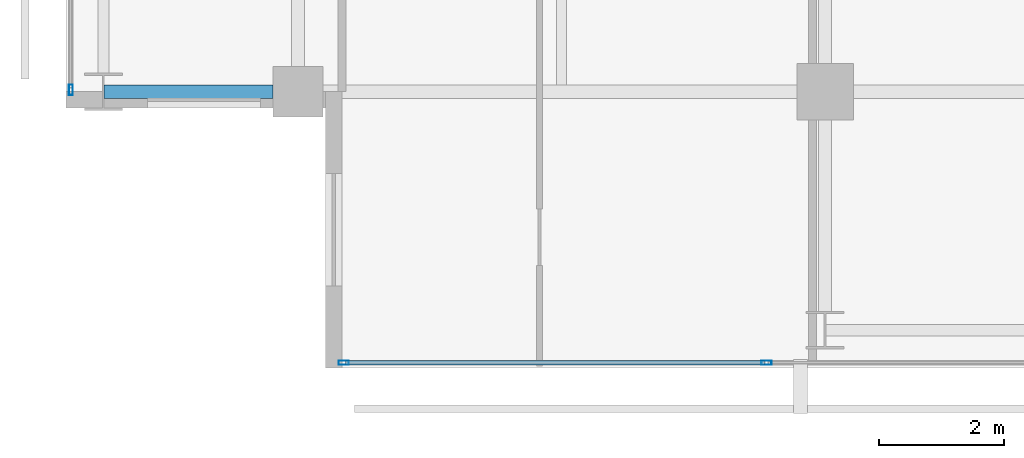
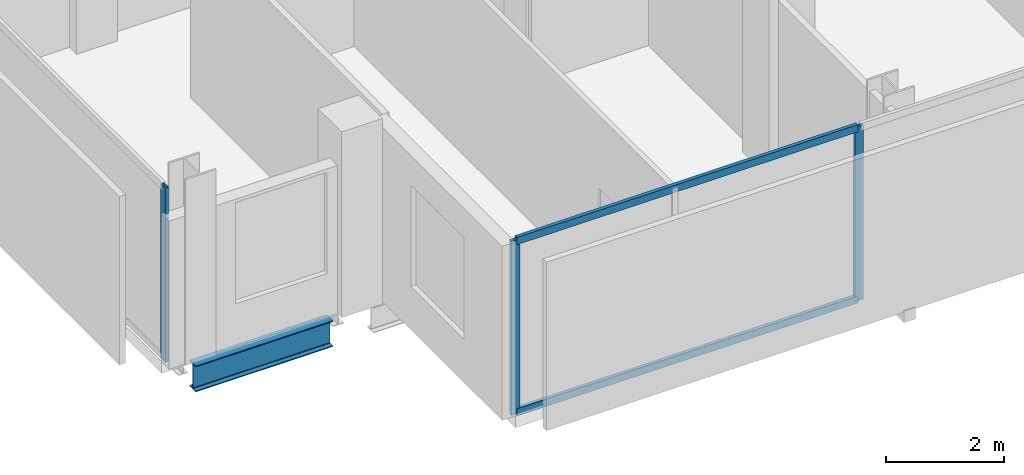
# One storey, part 2 of 34: 5 members, 1 beam, 2 elements without a shape of their own.
"""IFC4 building model written with IfcOpenShell, lengths in metres."""

from ifc_helpers import new_model, si_unit, direction, frame, origin, origin_2d, place, context, subcontext, project, spatial, hollow_rectangle, i_section, extrude, material, layer, layer_set, material_profile, profile_set, type_object, element, aggregate, save


model = new_model("IFC4")

# Units and contexts
model_context = context("Model", 3, precision=1e-05, world=origin(), true_north=direction((0.0, 1.0)))
body_context = subcontext(model_context, "Body", "Model", "MODEL_VIEW")
ifc_project = project(units=[si_unit("LENGTHUNIT", "METRE"), si_unit("AREAUNIT", "SQUARE_METRE"), si_unit("VOLUMEUNIT", "CUBIC_METRE"), si_unit("PLANEANGLEUNIT", "RADIAN"), si_unit("MASSUNIT", "GRAM", prefix="KILO")], contexts=[model_context])

# Site, building, storey
site_placement = place(None, origin())
site = spatial("IfcSite", under=ifc_project, at=site_placement, CompositionType="ELEMENT")
building_placement = place(site_placement, origin())
building = spatial("IfcBuilding", under=site, at=building_placement, Name="Maruvema Waterfront Hotel and Observation Tower", CompositionType="ELEMENT")
storey_placement = place(building_placement, frame((0.0, 0.0, 215.949951171875)))
storey = spatial("IfcBuildingStorey", under=building, at=storey_placement, Name="L53", CompositionType="ELEMENT", Elevation=215.949951171875)

# Curtain wall, members
ifc_material_1 = material(Name="Anodised bronze aluminium and solar-control low-E IGU", Category="aluminium")
ifc_layer = layer(ifc_material_1, 0.159912109375, Name="Zone 2 Amber Inner Thermal Curtain Wall System CW-03")
ifc_layer_set = layer_set([ifc_layer], Name="Anodised bronze aluminium and solar-control low-E IGU")
curtain_wall_type = type_object("IfcCurtainWallType", Name="Zone 2 Amber Inner Thermal Curtain Wall System CW-03", PredefinedType="USERDEFINED", material=ifc_layer_set)
curtain_wall_1_placement = place(storey_placement, origin())
curtain_wall_1 = element("IfcCurtainWall", 1, at=curtain_wall_1_placement, inside=storey, type_object=curtain_wall_type, Name="L53 Curtain Wall CW-L53-S", ObjectType="UNITISED CURTAIN WALL", PredefinedType="USERDEFINED")
ifc_material_2 = material(Name="Anodised architectural bronze aluminium", Category="aluminium")
ifc_material_profile_1 = material_profile(ifc_material_2, hollow_rectangle(XDim=0.070068359375, YDim=0.14990234375, WallThickness=0.00390625, at=origin_2d()), Name="ALU-T70x150")
ifc_profile_set_1 = profile_set([ifc_material_profile_1], Name="Anodised architectural bronze aluminium")
member_type_1 = type_object("IfcMemberType", Name="Curtain Wall Horizontal Transom ALU-T70x150", PredefinedType="USERDEFINED", material=ifc_profile_set_1)
member_1_placement = place(storey_placement, frame((17.56005859375, 4.679931640625, 0.030029296875), z_axis=(1.0, 0.0, 0.0), x_axis=(0.0, 1.0, 0.0)))
member_1 = element("IfcMember", 2, at=member_1_placement, type_object=member_type_1, Name="CW-03 transom 1.1", ObjectType="TRANSOM", PredefinedType="USERDEFINED", context=body_context, shape_type="SweptSolid", body=[
    extrude(hollow_rectangle(XDim=0.070068359375, YDim=0.14990234375, WallThickness=0.00390625, at=origin_2d()), origin(), (0.0, 0.0, 1.0), 6.676513671875),
])
member_2_placement = place(storey_placement, frame((17.56005859375, 4.679931640625, 3.580078125), z_axis=(1.0, 0.0, 0.0), x_axis=(0.0, 1.0, 0.0)))
member_2 = element("IfcMember", 3, at=member_2_placement, type_object=member_type_1, Name="CW-03 transom 1.2", ObjectType="TRANSOM", PredefinedType="USERDEFINED", context=body_context, shape_type="SweptSolid", body=[
    extrude(hollow_rectangle(XDim=0.070068359375, YDim=0.14990234375, WallThickness=0.00390625, at=origin_2d()), origin(), (0.0, 0.0, 1.0), 6.676513671875),
])
ifc_material_3 = material(Name="Anodised architectural bronze aluminium", Category="aluminium")
ifc_material_profile_2 = material_profile(ifc_material_3, hollow_rectangle(XDim=0.06494140625, YDim=0.1650390625, WallThickness=0.00390625, at=origin_2d()), Name="ALU-M65x165")
ifc_profile_set_2 = profile_set([ifc_material_profile_2], Name="Anodised architectural bronze aluminium")
member_type_2 = type_object("IfcMemberType", Name="Curtain Wall Primary Mullion ALU-M65x165", PredefinedType="MULLION", material=ifc_profile_set_2)
member_3_placement = place(storey_placement, frame((17.530029296875, 4.679931640625, 0.0), z_axis=(0.0, 0.0, 1.0), x_axis=(0.0, 1.0, 0.0)))
member_3 = element("IfcMember", 4, at=member_3_placement, type_object=member_type_2, Name="CW-03 mullion 1", PredefinedType="MULLION", context=body_context, shape_type="SweptSolid", body=[
    extrude(hollow_rectangle(XDim=0.06494140625, YDim=0.1650390625, WallThickness=0.00390625, at=origin_2d()), origin(), (0.0, 0.0, 1.0), 3.610107421875),
])
member_4_placement = place(storey_placement, frame((24.2666015625, 4.679931640625, 0.0), z_axis=(0.0, 0.0, 1.0), x_axis=(0.0, 1.0, 0.0)))
member_4 = element("IfcMember", 5, at=member_4_placement, type_object=member_type_2, Name="CW-03 mullion 2", PredefinedType="MULLION", context=body_context, shape_type="SweptSolid", body=[
    extrude(hollow_rectangle(XDim=0.06494140625, YDim=0.1650390625, WallThickness=0.00390625, at=origin_2d()), origin(), (0.0, 0.0, 1.0), 3.610107421875),
])
aggregate(curtain_wall_1, [member_3, member_4, member_1, member_2])

# Curtain wall, member
curtain_wall_2_placement = place(storey_placement, origin())
curtain_wall_2 = element("IfcCurtainWall", 6, at=curtain_wall_2_placement, inside=storey, type_object=curtain_wall_type, Name="L53 Curtain Wall CW-L53-W", ObjectType="UNITISED CURTAIN WALL", PredefinedType="USERDEFINED")
member_5_placement = place(storey_placement, frame((13.179931640625, 9.030029296875, 0.0), z_axis=(0.0, 0.0, 1.0), x_axis=(1.0, 0.0, 0.0)))
member_5 = element("IfcMember", 7, at=member_5_placement, type_object=member_type_2, Name="CW-03 mullion 7", PredefinedType="MULLION", context=body_context, shape_type="SweptSolid", body=[
    extrude(hollow_rectangle(XDim=0.06494140625, YDim=0.1650390625, WallThickness=0.00390625, at=origin_2d()), origin(), (0.0, 0.0, 1.0), 3.610107421875),
])
aggregate(curtain_wall_2, [member_5])

# Beam
ifc_material_4 = material(Name="Steel ASTM A572 Grade 50", Category="steel")
ifc_material_profile_3 = material_profile(ifc_material_4, i_section(OverallWidth=0.2109375, OverallDepth=0.5390625, WebThickness=0.01171875, FlangeThickness=0.018798828125, FilletRadius=0.014892578125, at=origin_2d()), Name="W530x109.0")
ifc_profile_set_3 = profile_set([ifc_material_profile_3], Name="Steel ASTM A572 Grade 50")
beam_type = type_object("IfcBeamType", Name="Primary Floor Girder W530x109.0", PredefinedType="BEAM", material=ifc_profile_set_3)
beam_placement = place(storey_placement, frame((13.71240234375, 9.0, -0.509521484375), z_axis=(1.0, 0.0, 0.0), x_axis=(0.0, 1.0, 0.0)))
element("IfcBeam", 8, at=beam_placement, inside=storey, type_object=beam_type, Name="L53 Floor Girder EW-04", PredefinedType="BEAM", context=body_context, shape_type="SweptSolid", body=[
    extrude(i_section(OverallWidth=0.2109375, OverallDepth=0.5390625, WebThickness=0.01171875, FlangeThickness=0.018798828125, FilletRadius=0.014892578125, at=origin_2d()), origin(), (0.0, 0.0, 1.0), 2.6875),
])

save(model, "model.ifc")
